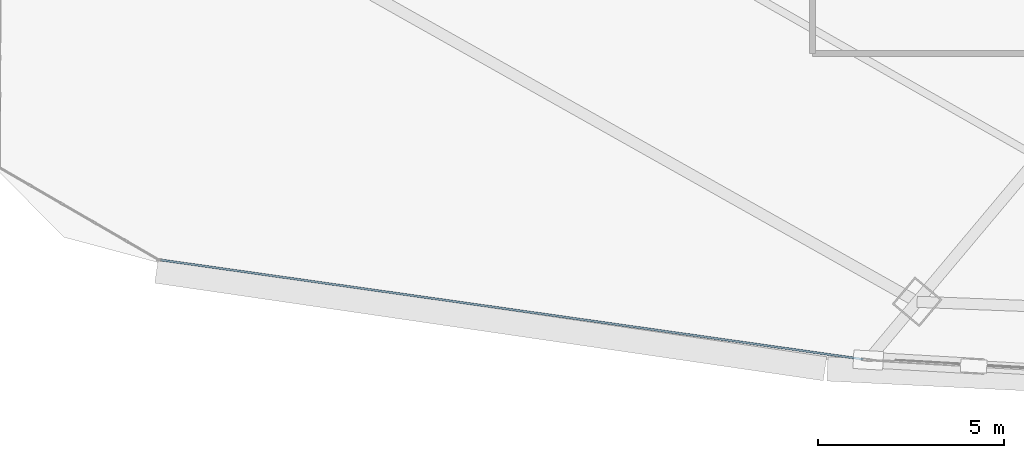
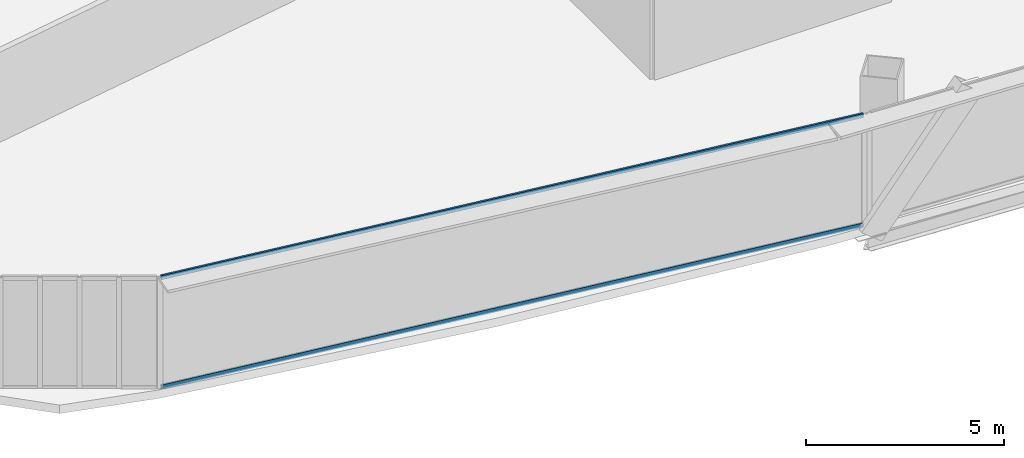
# One storey, part 3 of 42: 2 members, 1 element without a shape of its own.
"""IFC4 building model written with IfcOpenShell, lengths in metres."""

from ifc_helpers import new_model, si_unit, direction, frame, origin, origin_2d, place, context, subcontext, project, spatial, hollow_rectangle, extrude, source, transform, mapped, material, layer, layer_set, material_profile, profile_set, type_object, element, aggregate, save


model = new_model("IFC4")

# Units and contexts
model_context = context("Model", 3, precision=1e-05, world=origin(), true_north=direction((0.0, 1.0)))
body_context = subcontext(model_context, "Body", "Model", "MODEL_VIEW")
ifc_project = project(units=[si_unit("LENGTHUNIT", "METRE"), si_unit("AREAUNIT", "SQUARE_METRE"), si_unit("VOLUMEUNIT", "CUBIC_METRE"), si_unit("PLANEANGLEUNIT", "RADIAN"), si_unit("MASSUNIT", "GRAM", prefix="KILO"), si_unit("THERMODYNAMICTEMPERATUREUNIT", "KELVIN"), si_unit("POWERUNIT", "WATT")], contexts=[model_context])

# Site, building, storey
site_placement = place(None, origin())
site = spatial("IfcSite", under=ifc_project, at=site_placement, CompositionType="ELEMENT")
building_placement = place(site_placement, origin())
building = spatial("IfcBuilding", under=site, at=building_placement, Name="Yunzhuo Pagoda Commons", CompositionType="ELEMENT")
storey_placement = place(building_placement, frame((0.0, 0.0, 129.830078125)))
storey = spatial("IfcBuildingStorey", under=building, at=storey_placement, Name="L32", CompositionType="ELEMENT", Elevation=129.830078125)

# Curtain wall, members
ifc_material = material(Name="Anodized aluminium 6063-T6", Category="aluminium")
ifc_layer = layer(ifc_material, 0.14990234375)
ifc_layer_set = layer_set([ifc_layer], Name="Anodized aluminium 6063-T6")
curtain_wall_type = type_object("IfcCurtainWallType", Name="CW-MID Mid-Zone Ribbon Curtain Wall", PredefinedType="NOTDEFINED", material=ifc_layer_set)
curtain_wall_placement = place(storey_placement, origin())
curtain_wall = element("IfcCurtainWall", 1, at=curtain_wall_placement, inside=storey, type_object=curtain_wall_type, Name="L32 curtain wall CW-L32-F1B1", PredefinedType="NOTDEFINED")
ifc_material_profile = material_profile(ifc_material, hollow_rectangle(XDim=0.054931640625, YDim=0.1298828125, WallThickness=0.00341796875, at=origin_2d()), Name="Anodized aluminium 6063-T6")
ifc_profile_set = profile_set([ifc_material_profile], Name="Anodized aluminium 6063-T6")
member_type = type_object("IfcMemberType", Name="CW-MID-T Transom RHS 130x55x3.5", PredefinedType="USERDEFINED", material=ifc_profile_set)
shared_shape = source(origin(), body_context, "Body", "SweptSolid", [
    extrude(hollow_rectangle(XDim=0.054931640625, YDim=0.1298828125, WallThickness=0.00341796875, at=origin_2d()), origin(), (0.0, 0.0, 1.0), 19.068603515625),
])
member_1_placement = place(storey_placement, frame((12.08740234375, 16.25048828125, 0.02734375), z_axis=(0.990147224482, -0.140030260479, 0.0), x_axis=(0.140030260479, 0.990147224482, 0.0)))
member_1 = element("IfcMember", 2, at=member_1_placement, type_object=member_type, Name="CW transom 1.1", ObjectType="TRANSOM", PredefinedType="USERDEFINED", context=body_context, shape_type="MappedRepresentation", body=[
    mapped(shared_shape, transform((0.0, 0.0, 0.0), scale=1.0)),
])
member_2_placement = place(storey_placement, frame((12.08740234375, 16.25048828125, 3.392333984375), z_axis=(0.990147224482, -0.140030260479, 0.0), x_axis=(0.140030260479, 0.990147224482, 0.0)))
member_2 = element("IfcMember", 3, at=member_2_placement, type_object=member_type, Name="CW transom 1.2", ObjectType="TRANSOM", PredefinedType="USERDEFINED", context=body_context, shape_type="MappedRepresentation", body=[
    mapped(shared_shape, transform((0.0, 0.0, 0.0), scale=1.0)),
])
aggregate(curtain_wall, [member_1, member_2])

save(model, "model.ifc")
